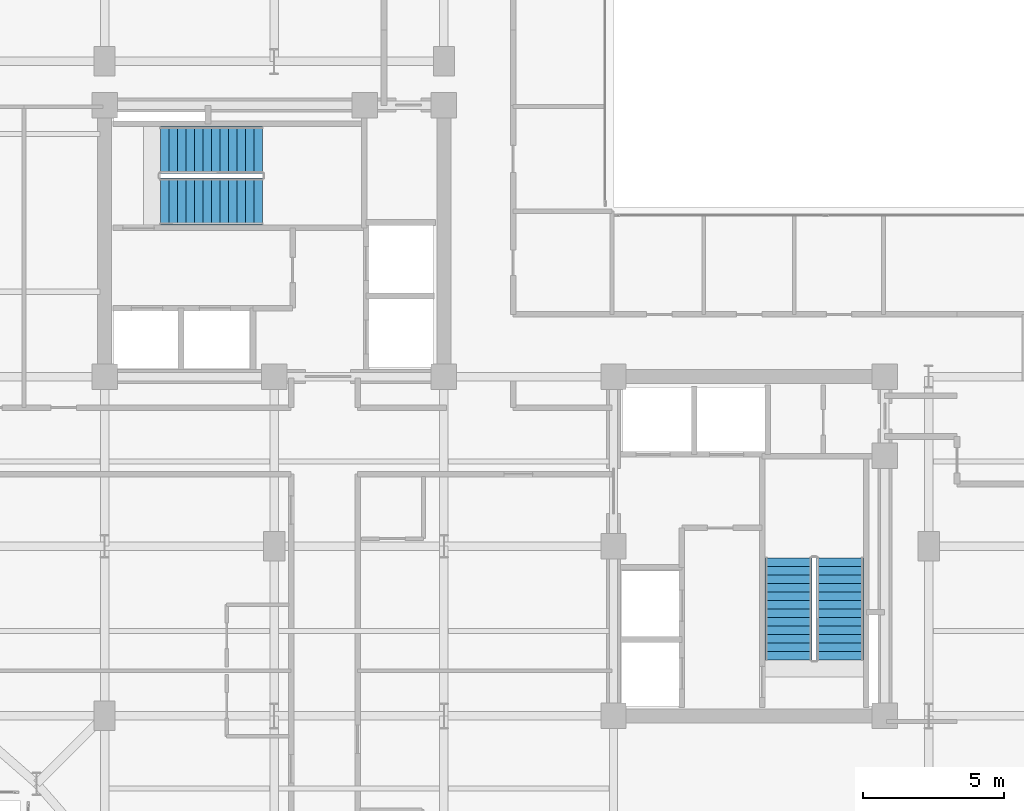
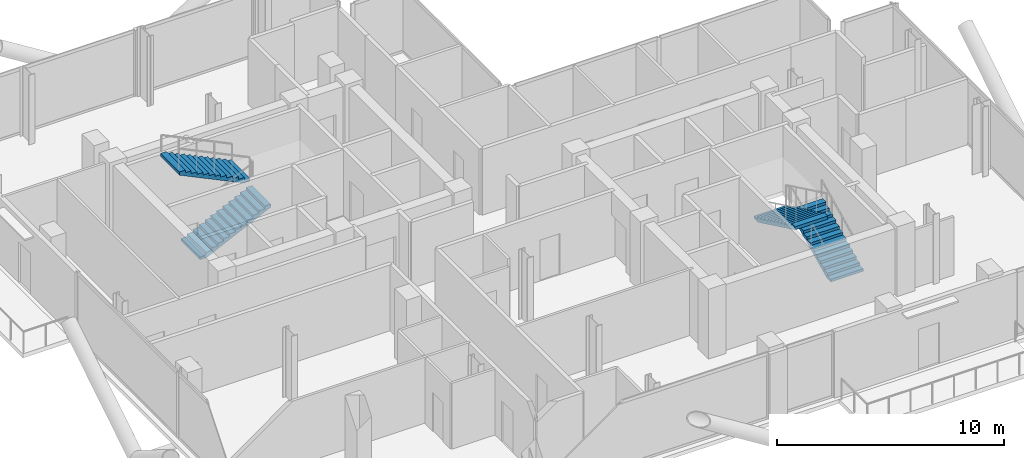
# One storey, part 22 of 25: 4 stair flights, 2 elements without a shape of their own.
"""IFC4 building model written with IfcOpenShell, lengths in metres."""

from ifc_helpers import new_model, si_unit, direction, frame, origin, place, context, subcontext, project, spatial, polyline, outline, extrude, material, type_object, element, aggregate, save


model = new_model("IFC4")

# Units and contexts
model_context = context("Model", 3, precision=1e-05, world=origin(), true_north=direction((0.0, 1.0)))
body_context = subcontext(model_context, "Body", "Model", "MODEL_VIEW")
ifc_project = project(units=[si_unit("LENGTHUNIT", "METRE"), si_unit("AREAUNIT", "SQUARE_METRE"), si_unit("VOLUMEUNIT", "CUBIC_METRE"), si_unit("PLANEANGLEUNIT", "RADIAN"), si_unit("MASSUNIT", "GRAM", prefix="KILO"), si_unit("THERMODYNAMICTEMPERATUREUNIT", "KELVIN"), si_unit("POWERUNIT", "WATT")], contexts=[model_context])

# Site, building, storey
site_placement = place(None, origin())
site = spatial("IfcSite", under=ifc_project, at=site_placement, CompositionType="ELEMENT")
building_placement = place(site_placement, origin())
building = spatial("IfcBuilding", under=site, at=building_placement, Name="Svarakhadi Broadcast Tower", CompositionType="ELEMENT")
storey_placement = place(building_placement, frame((0.0, 0.0, 216.14990234375)))
storey = spatial("IfcBuildingStorey", under=building, at=storey_placement, Name="L53", CompositionType="ELEMENT", Elevation=216.14990234375)

# Stair, stair flights
ifc_material = material(Name="Concrete C40/50 (IS 456 M50)", Category="concrete")
stair_type = type_object("IfcStairType", Name="Stair_Exit_Core", PredefinedType="HALF_TURN_STAIR", material=ifc_material)
stair_1_placement = place(storey_placement, origin())
stair_1 = element("IfcStair", 1, at=stair_1_placement, inside=storey, type_object=stair_type, Name="L53 West Core Protected Exit Stair ST-01", PredefinedType="HALF_TURN_STAIR")
stair_flight_type = type_object("IfcStairFlightType", Name="Flight_RC_1680", PredefinedType="STRAIGHT", material=ifc_material)
stair_flight_1_placement = place(storey_placement, frame((7.97998046875, 24.18994140625, 0.0), z_axis=(0.0, 0.0, 1.0), x_axis=(1.0, 0.0, 0.0)))
stair_flight_1 = element("IfcStairFlight", 2, at=stair_flight_1_placement, type_object=stair_flight_type, Name="ST-01 flight 1", NumberOfRisers=13, NumberOfTreads=12, PredefinedType="STRAIGHT", RiserHeight=0.144230769, TreadLength=0.3, context=body_context, shape_type="SweptSolid", body=[
    extrude(outline(polyline([(0.0, 0.0), (0.0, 0.144287109375), (0.300048828125, 0.144287109375), (0.300048828125, 0.28857421875), (0.60009765625, 0.28857421875), (0.60009765625, 0.4326171875), (0.89990234375, 0.4326171875), (0.89990234375, 0.576904296875), (1.199951171875, 0.576904296875), (1.199951171875, 0.72119140625), (1.5, 0.72119140625), (1.5, 0.865478515625), (1.800048828125, 0.865478515625), (1.800048828125, 1.009521484375), (2.10009765625, 1.009521484375), (2.10009765625, 1.15380859375), (2.39990234375, 1.15380859375), (2.39990234375, 1.298095703125), (2.699951171875, 1.298095703125), (2.699951171875, 1.4423828125), (3.0, 1.4423828125), (3.0, 1.58642578125), (3.300048828125, 1.58642578125), (3.300048828125, 1.730712890625), (3.60009765625, 1.730712890625), (3.60009765625, 1.875), (3.60009765625, 1.564453125), (0.345947265625, 0.0), (0.0, 0.0)])), frame((0.0, 0.830078125, 0.0), z_axis=(0.0, -1.0, 0.0), x_axis=(1.0, 0.0, 0.0)), (0.0, 0.0, 1.0), 1.659912109375),
])
stair_flight_2_placement = place(storey_placement, frame((11.580078125, 26.010009765625, 1.875), z_axis=(0.0, 0.0, 1.0), x_axis=(-1.0, 0.0, 0.0)))
stair_flight_2 = element("IfcStairFlight", 3, at=stair_flight_2_placement, type_object=stair_flight_type, Name="ST-01 flight 2", NumberOfRisers=13, NumberOfTreads=12, PredefinedType="STRAIGHT", RiserHeight=0.144230769, TreadLength=0.3, context=body_context, shape_type="SweptSolid", body=[
    extrude(outline(polyline([(0.0, 0.0), (0.0, 0.144287109375), (0.300048828125, 0.144287109375), (0.300048828125, 0.28857421875), (0.60009765625, 0.28857421875), (0.60009765625, 0.4326171875), (0.89990234375, 0.4326171875), (0.89990234375, 0.576904296875), (1.199951171875, 0.576904296875), (1.199951171875, 0.72119140625), (1.5, 0.72119140625), (1.5, 0.865478515625), (1.800048828125, 0.865478515625), (1.800048828125, 1.009521484375), (2.10009765625, 1.009521484375), (2.10009765625, 1.15380859375), (2.39990234375, 1.15380859375), (2.39990234375, 1.298095703125), (2.699951171875, 1.298095703125), (2.699951171875, 1.4423828125), (3.0, 1.4423828125), (3.0, 1.58642578125), (3.300048828125, 1.58642578125), (3.300048828125, 1.730712890625), (3.60009765625, 1.730712890625), (3.60009765625, 1.875), (3.60009765625, 1.564453125), (0.345947265625, 0.0), (0.0, 0.0)])), frame((0.0, 0.830078125, 0.0), z_axis=(0.0, -1.0, 0.0), x_axis=(1.0, 0.0, 0.0)), (0.0, 0.0, 1.0), 1.659912109375),
])
aggregate(stair_1, [stair_flight_1, stair_flight_2])

stair_2_placement = place(storey_placement, origin())
stair_2 = element("IfcStair", 4, at=stair_2_placement, inside=storey, type_object=stair_type, Name="L53 East Core Protected Exit Stair ST-02", PredefinedType="HALF_TURN_STAIR")
stair_flight_3_placement = place(storey_placement, frame((32.010009765625, 7.97998046875, 0.0), z_axis=(0.0, 0.0, 1.0), x_axis=(0.0, 1.0, 0.0)))
stair_flight_3 = element("IfcStairFlight", 5, at=stair_flight_3_placement, type_object=stair_flight_type, Name="ST-02 flight 1", NumberOfRisers=13, NumberOfTreads=12, PredefinedType="STRAIGHT", RiserHeight=0.144230769, TreadLength=0.3, context=body_context, shape_type="SweptSolid", body=[
    extrude(outline(polyline([(0.0, 0.0), (0.0, 0.144287109375), (0.300048828125, 0.144287109375), (0.300048828125, 0.28857421875), (0.60009765625, 0.28857421875), (0.60009765625, 0.4326171875), (0.89990234375, 0.4326171875), (0.89990234375, 0.576904296875), (1.199951171875, 0.576904296875), (1.199951171875, 0.72119140625), (1.5, 0.72119140625), (1.5, 0.865478515625), (1.800048828125, 0.865478515625), (1.800048828125, 1.009521484375), (2.10009765625, 1.009521484375), (2.10009765625, 1.15380859375), (2.39990234375, 1.15380859375), (2.39990234375, 1.298095703125), (2.699951171875, 1.298095703125), (2.699951171875, 1.4423828125), (3.0, 1.4423828125), (3.0, 1.58642578125), (3.300048828125, 1.58642578125), (3.300048828125, 1.730712890625), (3.60009765625, 1.730712890625), (3.60009765625, 1.875), (3.60009765625, 1.564453125), (0.345947265625, 0.0), (0.0, 0.0)])), frame((0.0, 0.830078125, 0.0), z_axis=(0.0, -1.0, 0.0), x_axis=(1.0, 0.0, 0.0)), (0.0, 0.0, 1.0), 1.659912109375),
])
stair_flight_4_placement = place(storey_placement, frame((30.18994140625, 11.580078125, 1.875), z_axis=(0.0, 0.0, 1.0), x_axis=(0.0, -1.0, 0.0)))
stair_flight_4 = element("IfcStairFlight", 6, at=stair_flight_4_placement, type_object=stair_flight_type, Name="ST-02 flight 2", NumberOfRisers=13, NumberOfTreads=12, PredefinedType="STRAIGHT", RiserHeight=0.144230769, TreadLength=0.3, context=body_context, shape_type="SweptSolid", body=[
    extrude(outline(polyline([(0.0, 0.0), (0.0, 0.144287109375), (0.300048828125, 0.144287109375), (0.300048828125, 0.28857421875), (0.60009765625, 0.28857421875), (0.60009765625, 0.4326171875), (0.89990234375, 0.4326171875), (0.89990234375, 0.576904296875), (1.199951171875, 0.576904296875), (1.199951171875, 0.72119140625), (1.5, 0.72119140625), (1.5, 0.865478515625), (1.800048828125, 0.865478515625), (1.800048828125, 1.009521484375), (2.10009765625, 1.009521484375), (2.10009765625, 1.15380859375), (2.39990234375, 1.15380859375), (2.39990234375, 1.298095703125), (2.699951171875, 1.298095703125), (2.699951171875, 1.4423828125), (3.0, 1.4423828125), (3.0, 1.58642578125), (3.300048828125, 1.58642578125), (3.300048828125, 1.730712890625), (3.60009765625, 1.730712890625), (3.60009765625, 1.875), (3.60009765625, 1.564453125), (0.345947265625, 0.0), (0.0, 0.0)])), frame((0.0, 0.830078125, 0.0), z_axis=(0.0, -1.0, 0.0), x_axis=(1.0, 0.0, 0.0)), (0.0, 0.0, 1.0), 1.659912109375),
])
aggregate(stair_2, [stair_flight_3, stair_flight_4])

save(model, "model.ifc")
